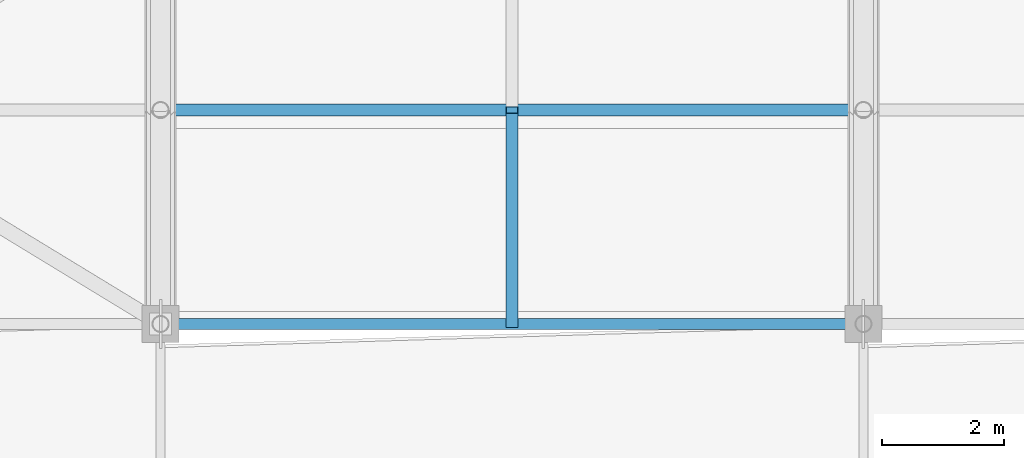
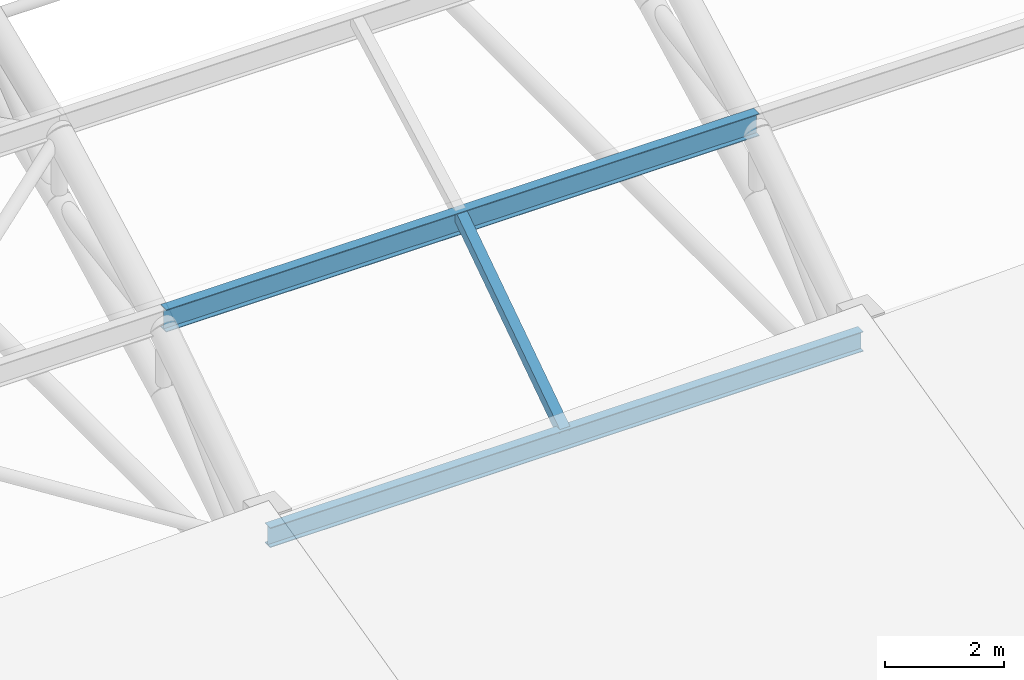
# One storey, part 5 of 154: 3 members.
"""IFC4 building model written with IfcOpenShell, lengths in metres."""

from ifc_helpers import new_model, si_unit, direction, frame, origin, origin_2d, place, context, subcontext, project, spatial, hollow_rectangle, i_section, extrude, material, material_profile, profile_set, type_object, element, save


model = new_model("IFC4")

# Units and contexts
model_context = context("Model", 3, precision=1e-05, world=origin(), true_north=direction((0.0, 1.0)))
body_context = subcontext(model_context, "Body", "Model", "MODEL_VIEW")
ifc_project = project(units=[si_unit("LENGTHUNIT", "METRE"), si_unit("AREAUNIT", "SQUARE_METRE"), si_unit("VOLUMEUNIT", "CUBIC_METRE"), si_unit("PLANEANGLEUNIT", "RADIAN"), si_unit("MASSUNIT", "GRAM", prefix="KILO")], contexts=[model_context])

# Site, building, storey
site_placement = place(None, origin())
site = spatial("IfcSite", under=ifc_project, at=site_placement, CompositionType="ELEMENT")
building_placement = place(site_placement, origin())
building = spatial("IfcBuilding", under=site, at=building_placement, Name="Ologun Quay Terminus", CompositionType="ELEMENT")
storey_placement = place(building_placement, frame((0.0, 0.0, 13.800048828125)))
storey = spatial("IfcBuildingStorey", under=building, at=storey_placement, Name="L03", CompositionType="ELEMENT", Elevation=13.800048828125)

# Members
ifc_material_1 = material(Name="Steel S355", Category="steel")
ifc_material_profile_1 = material_profile(ifc_material_1, hollow_rectangle(XDim=0.199951171875, YDim=0.199951171875, WallThickness=0.008056640625, at=origin_2d()), Name="SHS 200x200x8")
ifc_profile_set_1 = profile_set([ifc_material_profile_1], Name="Steel S355")
member_type_1 = type_object("IfcMemberType", Name="Skylight Cross Transom Bar RHS150", PredefinedType="STRUT", material=ifc_profile_set_1)
member_1_placement = place(storey_placement, frame((28.75, 36.0, 1.50341796875), z_axis=(0.0, 0.830398014247, 0.55717065423), x_axis=(-1.0, 0.0, 0.0)))
element("IfcMember", 1, at=member_1_placement, inside=storey, type_object=member_type_1, Name="SK2 Eave Secondary Rafter B3-P1", PredefinedType="STRUT", context=body_context, shape_type="SweptSolid", body=[
    extrude(hollow_rectangle(XDim=0.199951171875, YDim=0.199951171875, WallThickness=0.008056640625, at=origin_2d()), origin(), (0.0, 0.0, 1.0), 4.21484375),
])
ifc_material_2 = material(Name="Steel S355", Category="steel")
ifc_material_profile_2 = material_profile(ifc_material_2, i_section(OverallWidth=0.177978515625, OverallDepth=0.406494140625, WebThickness=0.0078125, FlangeThickness=0.0126953125, at=origin_2d()), Name="UKB 406x178x60")
ifc_profile_set_2 = profile_set([ifc_material_profile_2], Name="Steel S355")
member_type_2 = type_object("IfcMemberType", Name="Train Shed Eave & Ridge Purlin UKB406", PredefinedType="PURLIN", material=ifc_profile_set_2)
member_2_placement = place(storey_placement, frame((23.0, 36.0, 1.403076171875), z_axis=(1.0, 0.0, 0.0), x_axis=(0.0, 1.0, 0.0)))
element("IfcMember", 2, at=member_2_placement, inside=storey, type_object=member_type_2, Name="PR2 Roof Purlin B3-N0", PredefinedType="PURLIN", context=body_context, shape_type="SweptSolid", body=[
    extrude(i_section(OverallWidth=0.177978515625, OverallDepth=0.406494140625, WebThickness=0.0078125, FlangeThickness=0.0126953125, at=origin_2d()), origin(), (0.0, 0.0, 1.0), 11.5),
])
ifc_material_3 = material(Name="Steel S355", Category="steel")
ifc_material_profile_3 = material_profile(ifc_material_3, i_section(OverallWidth=0.1904296875, OverallDepth=0.45703125, WebThickness=0.009033203125, FlangeThickness=0.014404296875, at=origin_2d()), Name="UKB 457x191x74")
ifc_profile_set_3 = profile_set([ifc_material_profile_3], Name="Steel S355")
member_type_3 = type_object("IfcMemberType", Name="Train Shed Primary Roof Purlin UKB457", PredefinedType="PURLIN", material=ifc_profile_set_3)
member_3_placement = place(storey_placement, frame((23.0, 39.5, 3.726318359375), z_axis=(1.0, 0.0, 0.0), x_axis=(0.0, 1.0, 0.0)))
element("IfcMember", 3, at=member_3_placement, inside=storey, type_object=member_type_3, Name="PR1 Roof Purlin B3-N1", PredefinedType="PURLIN", context=body_context, shape_type="SweptSolid", body=[
    extrude(i_section(OverallWidth=0.1904296875, OverallDepth=0.45703125, WebThickness=0.009033203125, FlangeThickness=0.014404296875, at=origin_2d()), origin(), (0.0, 0.0, 1.0), 11.5),
])

save(model, "model.ifc")
